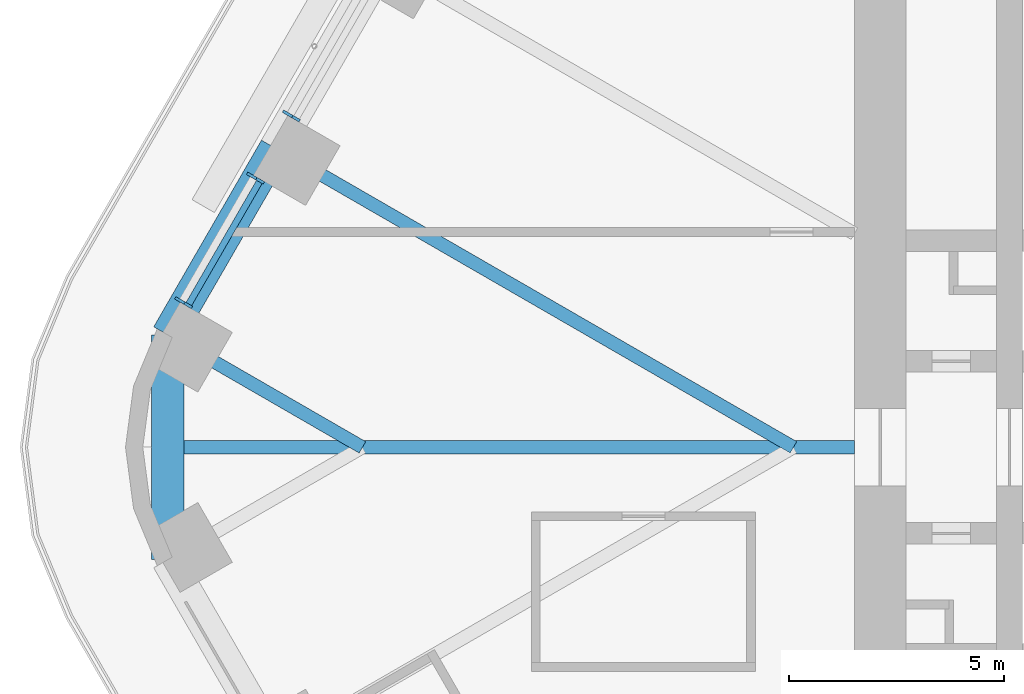
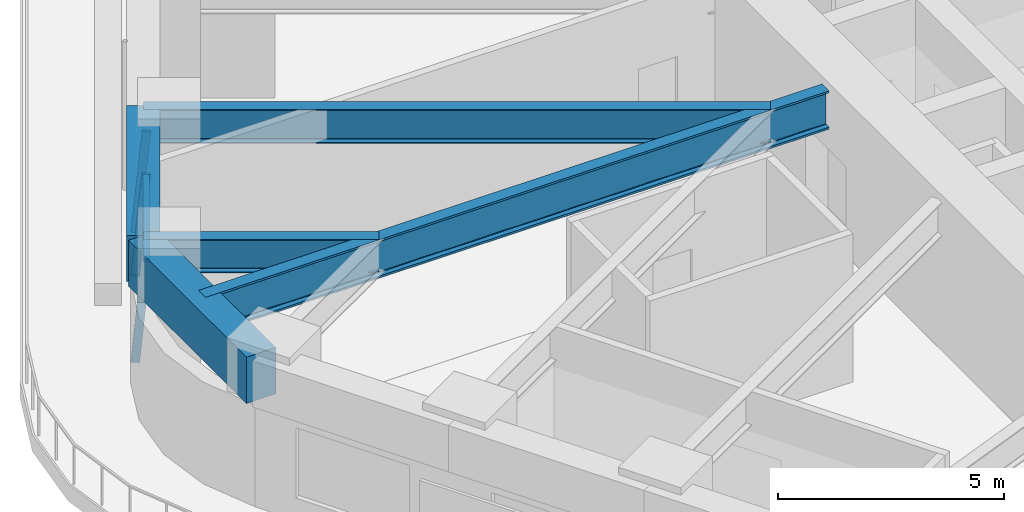
# One storey, part 6 of 24: 5 beams, 4 members, 2 elements without a shape of their own.
"""IFC4 building model written with IfcOpenShell, lengths in metres."""

from ifc_helpers import new_model, si_unit, direction, frame, origin, origin_2d, place, context, subcontext, project, spatial, rectangle, i_section, extrude, material, material_profile, profile_set, type_object, element, aggregate, save


model = new_model("IFC4")

# Units and contexts
model_context = context("Model", 3, precision=1e-05, world=origin(), true_north=direction((0.0, 1.0)))
body_context = subcontext(model_context, "Body", "Model", "MODEL_VIEW")
ifc_project = project(units=[si_unit("LENGTHUNIT", "METRE"), si_unit("AREAUNIT", "SQUARE_METRE"), si_unit("VOLUMEUNIT", "CUBIC_METRE"), si_unit("PLANEANGLEUNIT", "RADIAN"), si_unit("MASSUNIT", "GRAM", prefix="KILO")], contexts=[model_context])

# Site, building, storey
site_placement = place(None, origin())
site = spatial("IfcSite", under=ifc_project, at=site_placement, CompositionType="ELEMENT")
building_placement = place(site_placement, origin())
building = spatial("IfcBuilding", under=site, at=building_placement, Name="Tarfa Lantern Tower", CompositionType="ELEMENT")
storey_placement = place(building_placement, frame((0.0, 0.0, 169.89990234375)))
storey = spatial("IfcBuildingStorey", under=building, at=storey_placement, Name="L38", CompositionType="ELEMENT", Elevation=169.89990234375)

# Curtain wall, member
ifc_material_1 = material(Name="Aluminium framed curtain wall", Category="aluminium")
curtain_wall_type = type_object("IfcCurtainWallType", Name="CW2 CANTED GLAZING MID ZONE 2750", PredefinedType="USERDEFINED", material=ifc_material_1)
curtain_wall_1_placement = place(storey_placement, origin())
curtain_wall_1 = element("IfcCurtainWall", 1, at=curtain_wall_1_placement, inside=storey, type_object=curtain_wall_type, Name="CW2 NWB L38", ObjectType="CURTAIN WALL", PredefinedType="USERDEFINED")
ifc_material_2 = material(Name="Aluminium mullion", Category="aluminium")
ifc_material_profile_1 = material_profile(ifc_material_2, rectangle(XDim=0.06494140625, YDim=0.199951171875, at=origin_2d()), Name="AL MULLION 65x200")
ifc_profile_set_1 = profile_set([ifc_material_profile_1], Name="Aluminium mullion")
member_type_1 = type_object("IfcMemberType", Name="CWM1 MULLION 65x200", PredefinedType="MULLION", material=ifc_profile_set_1)
member_1_placement = place(storey_placement, frame((-31.78076171875, 7.75439453125, 0.0), z_axis=(0.078422950161, -0.045267813396, 0.995891894715), x_axis=(0.499919672301, 0.866071776036, 0.0)))
member_1 = element("IfcMember", 2, at=member_1_placement, type_object=member_type_1, Name="CW2 mullion 2", PredefinedType="MULLION", context=body_context, shape_type="SweptSolid", body=[
    extrude(rectangle(XDim=0.06494140625, YDim=0.199951171875, at=origin_2d()), origin(), (0.0, 0.0, 1.0), 2.76123046875),
])
aggregate(curtain_wall_1, [member_1])

# Curtain wall, members
curtain_wall_2_placement = place(storey_placement, origin())
curtain_wall_2 = element("IfcCurtainWall", 3, at=curtain_wall_2_placement, inside=storey, type_object=curtain_wall_type, Name="CW2 NWB L38", ObjectType="CURTAIN WALL", PredefinedType="USERDEFINED")
member_2_placement = place(storey_placement, frame((-32.613037109375, 6.312255859375, 0.0), z_axis=(0.078335079308, -0.045268127094, 0.995898796073), x_axis=(0.500342721131, 0.865827443207, 0.0)))
member_2 = element("IfcMember", 4, at=member_2_placement, type_object=member_type_1, Name="CW2 mullion 1", PredefinedType="MULLION", context=body_context, shape_type="SweptSolid", body=[
    extrude(rectangle(XDim=0.06494140625, YDim=0.199951171875, at=origin_2d()), origin(), (0.0, 0.0, 1.0), 2.76123046875),
])
member_3_placement = place(storey_placement, frame((-34.282470703125, 3.4208984375, 0.0), z_axis=(0.078422950161, -0.045267813396, 0.995891894715), x_axis=(0.499919672301, 0.866071776036, 0.0)))
member_3 = element("IfcMember", 5, at=member_3_placement, type_object=member_type_1, Name="CW2 mullion 2", PredefinedType="MULLION", context=body_context, shape_type="SweptSolid", body=[
    extrude(rectangle(XDim=0.06494140625, YDim=0.199951171875, at=origin_2d()), origin(), (0.0, 0.0, 1.0), 2.76123046875),
])
ifc_material_3 = material(Name="Aluminium transom", Category="aluminium")
ifc_material_profile_2 = material_profile(ifc_material_3, rectangle(XDim=0.14990234375, YDim=0.06494140625, at=origin_2d()), Name="AL TRANSOM 150x65")
ifc_profile_set_2 = profile_set([ifc_material_profile_2], Name="Aluminium transom")
member_type_2 = type_object("IfcMemberType", Name="CWT1 TRANSOM 150x65", PredefinedType="USERDEFINED", material=ifc_profile_set_2)
member_4_placement = place(storey_placement, frame((-32.41552734375, 6.16064453125, 2.717529296875), z_axis=(-0.499989298045, -0.866031582473, 0.0), x_axis=(0.866031582473, -0.499989298045, 0.0)))
member_4 = element("IfcMember", 6, at=member_4_placement, type_object=member_type_2, Name="CW2 transom 1.2", ObjectType="TRANSOM", PredefinedType="USERDEFINED", context=body_context, shape_type="SweptSolid", body=[
    extrude(rectangle(XDim=0.14990234375, YDim=0.06494140625, at=origin_2d()), origin(), (0.0, 0.0, 1.0), 3.2734375),
])
aggregate(curtain_wall_2, [member_2, member_3, member_4])

# Beams
ifc_material_4 = material(Name="Concrete C80/95", Category="concrete")
ifc_material_profile_3 = material_profile(ifc_material_4, rectangle(XDim=0.75, YDim=1.25, at=origin_2d()), Name="RC 750x1250")
ifc_profile_set_3 = profile_set([ifc_material_profile_3], Name="Concrete C80/95")
beam_type_1 = type_object("IfcBeamType", Name="EB2 RC 750x1250", PredefinedType="SPANDREL", material=ifc_profile_set_3)
beam_1_placement = place(storey_placement, frame((-32.041015625, 6.943359375, 3.375), z_axis=(-0.500022324899, -0.866012514114, 0.0), x_axis=(0.866012514114, -0.500022324899, 0.0)))
element("IfcBeam", 7, at=beam_1_placement, inside=storey, type_object=beam_type_1, Name="Edge beam NW5", PredefinedType="SPANDREL", context=body_context, shape_type="SweptSolid", body=[
    extrude(rectangle(XDim=0.75, YDim=1.25, at=origin_2d()), origin(), (0.0, 0.0, 1.0), 5.003662109375),
])
beam_2_placement = place(storey_placement, frame((-34.54296875, 2.610107421875, 3.375), z_axis=(0.0, -1.0, 0.0), x_axis=(1.0, 0.0, 0.0)))
element("IfcBeam", 8, at=beam_2_placement, inside=storey, type_object=beam_type_1, Name="Edge beam NW6", PredefinedType="SPANDREL", context=body_context, shape_type="SweptSolid", body=[
    extrude(rectangle(XDim=0.75, YDim=1.25, at=origin_2d()), origin(), (0.0, 0.0, 1.0), 5.22021484375),
])
ifc_material_5 = material(Name="Steel S460M", Category="steel")
ifc_material_profile_4 = material_profile(ifc_material_5, i_section(OverallWidth=0.30859375, OverallDepth=1.036376953125, WebThickness=0.030029296875, FlangeThickness=0.05419921875, FilletRadius=0.030029296875, at=origin_2d()), Name="UB1016x305x487")
ifc_profile_set_4 = profile_set([ifc_material_profile_4], Name="Steel S460M")
beam_type_2 = type_object("IfcBeamType", Name="UB1016x305x487", PredefinedType="BEAM", material=ifc_profile_set_4)
beam_3_placement = place(storey_placement, frame((-18.60009765625, 0.0, 3.48193359375), z_axis=(-1.0, 0.0, 0.0), x_axis=(0.0, -1.0, 0.0)))
element("IfcBeam", 9, at=beam_3_placement, inside=storey, type_object=beam_type_2, Name="Hip girder W", PredefinedType="BEAM", context=body_context, shape_type="SweptSolid", body=[
    extrude(i_section(OverallWidth=0.30859375, OverallDepth=1.036376953125, WebThickness=0.030029296875, FlangeThickness=0.05419921875, FilletRadius=0.030029296875, at=origin_2d()), origin(), (0.0, 0.0, 1.0), 15.94287109375),
])
ifc_material_profile_5 = material_profile(ifc_material_5, i_section(OverallWidth=0.305419921875, OverallDepth=0.91845703125, WebThickness=0.017333984375, FlangeThickness=0.02783203125, FilletRadius=0.01904296875, at=origin_2d()), Name="UB914x305x253")
ifc_profile_set_5 = profile_set([ifc_material_profile_5], Name="Steel S460M")
beam_type_3 = type_object("IfcBeamType", Name="UB914x305x253", PredefinedType="BEAM", material=ifc_profile_set_5)
beam_4_placement = place(storey_placement, frame((-32.041015625, 6.943359375, 3.541015625), z_axis=(0.866023096411, -0.500003996466, 0.0), x_axis=(0.500003996466, 0.866023096411, 0.0)))
element("IfcBeam", 10, at=beam_4_placement, inside=storey, type_object=beam_type_3, Name="Floor beam NW5", PredefinedType="BEAM", context=body_context, shape_type="SweptSolid", body=[
    extrude(i_section(OverallWidth=0.305419921875, OverallDepth=0.91845703125, WebThickness=0.017333984375, FlangeThickness=0.02783203125, FilletRadius=0.01904296875, at=origin_2d()), origin(), (0.0, 0.0, 1.0), 13.88671875),
])
beam_5_placement = place(storey_placement, frame((-34.54296875, 2.610107421875, 3.541015625), z_axis=(0.866021250859, -0.500007193008, 0.0), x_axis=(0.500007193008, 0.866021250859, 0.0)))
element("IfcBeam", 11, at=beam_5_placement, inside=storey, type_object=beam_type_3, Name="Floor beam NW6", PredefinedType="BEAM", context=body_context, shape_type="SweptSolid", body=[
    extrude(i_section(OverallWidth=0.305419921875, OverallDepth=0.91845703125, WebThickness=0.017333984375, FlangeThickness=0.02783203125, FilletRadius=0.01904296875, at=origin_2d()), origin(), (0.0, 0.0, 1.0), 5.22021484375),
])

save(model, "model.ifc")
